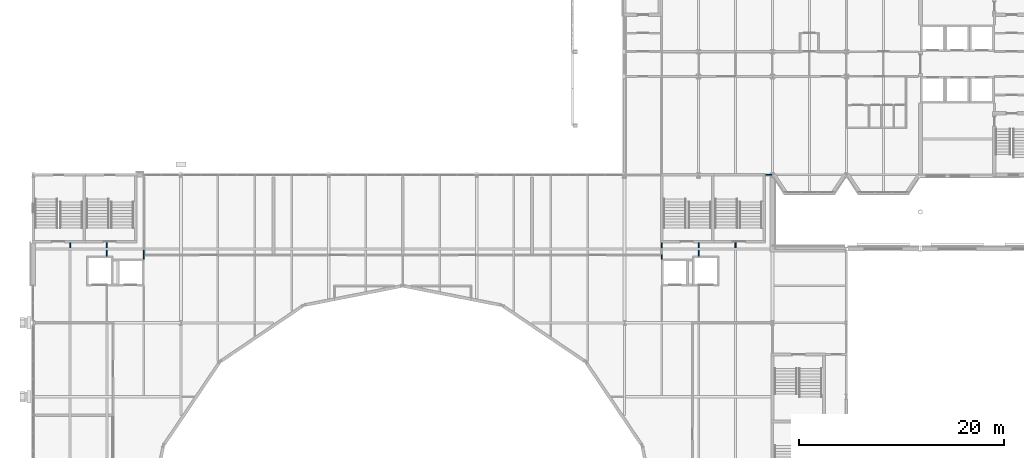
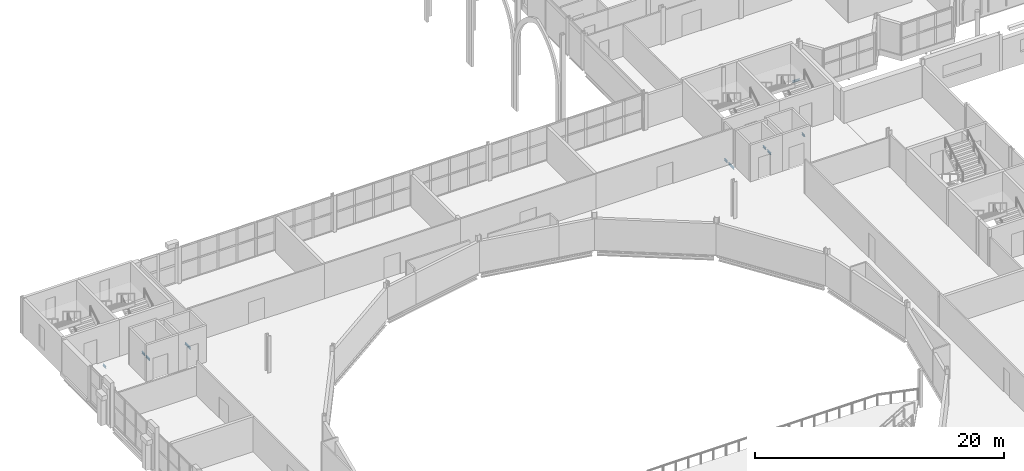
# One storey, part 55 of 124: 10 beams.
"""IFC4 building model written with IfcOpenShell, lengths in metres."""

from ifc_helpers import new_model, si_unit, direction, frame, origin, origin_2d, place, context, subcontext, project, spatial, i_section, extrude, material, material_profile, profile_set, type_object, element, save


model = new_model("IFC4")

# Units and contexts
model_context = context("Model", 3, precision=1e-05, world=origin(), true_north=direction((0.0, 1.0)))
body_context = subcontext(model_context, "Body", "Model", "MODEL_VIEW")
ifc_project = project(units=[si_unit("LENGTHUNIT", "METRE"), si_unit("AREAUNIT", "SQUARE_METRE"), si_unit("VOLUMEUNIT", "CUBIC_METRE"), si_unit("PLANEANGLEUNIT", "RADIAN"), si_unit("MASSUNIT", "GRAM", prefix="KILO")], contexts=[model_context])

# Site, building, storey
site_placement = place(None, origin())
site = spatial("IfcSite", under=ifc_project, at=site_placement, CompositionType="ELEMENT")
building_placement = place(site_placement, origin())
building = spatial("IfcBuilding", under=site, at=building_placement, Name="Kupolbacken Congress Centre", CompositionType="ELEMENT")
storey_placement = place(building_placement, frame((0.0, 0.0, 10.800048828125)))
storey = spatial("IfcBuildingStorey", under=building, at=storey_placement, Name="L03", CompositionType="ELEMENT", Elevation=10.800048828125)

# Beams
ifc_material = material(Name="Steel S355", Category="steel")
ifc_material_profile = material_profile(ifc_material, i_section(OverallWidth=0.10009765625, OverallDepth=0.199951171875, WebThickness=0.005615234375, FlangeThickness=0.008544921875, FilletRadius=0.011962890625, at=origin_2d()), Name="IPE 200")
ifc_profile_set = profile_set([ifc_material_profile], Name="Steel S355")
beam_type = type_object("IfcBeamType", Name="B01 beam IPE 200", PredefinedType="BEAM", material=ifc_profile_set)
beam_1_placement = place(storey_placement, frame((78.52490234375, 122.39990234375, -0.280029296875), z_axis=(1.0, 0.0, 0.0), x_axis=(0.0, 1.0, 0.0)))
element("IfcBeam", 1, at=beam_1_placement, inside=storey, type_object=beam_type, Name="S/floor/P/L03/R075", PredefinedType="BEAM", context=body_context, shape_type="SweptSolid", body=[
    extrude(i_section(OverallWidth=0.10009765625, OverallDepth=0.199951171875, WebThickness=0.005615234375, FlangeThickness=0.008544921875, FilletRadius=0.011962890625, at=origin_2d()), origin(), (0.0, 0.0, 1.0), 0.66455078125),
])
beam_2_placement = place(storey_placement, frame((10.800048828125, 115.31005859375, -0.280029296875), z_axis=(0.0, 1.0, 0.0), x_axis=(-1.0, 0.0, 0.0)))
element("IfcBeam", 2, at=beam_2_placement, inside=storey, type_object=beam_type, Name="S/floor/P/L03/S084", PredefinedType="BEAM", context=body_context, shape_type="SweptSolid", body=[
    extrude(i_section(OverallWidth=0.10009765625, OverallDepth=0.199951171875, WebThickness=0.005615234375, FlangeThickness=0.008544921875, FilletRadius=0.011962890625, at=origin_2d()), origin(), (0.0, 0.0, 1.0), 0.46484375),
])
beam_3_placement = place(storey_placement, frame((14.39990234375, 114.5, -0.280029296875), z_axis=(0.0, 1.0, 0.0), x_axis=(-1.0, 0.0, 0.0)))
element("IfcBeam", 3, at=beam_3_placement, inside=storey, type_object=beam_type, Name="S/floor/P/L03/S094", PredefinedType="BEAM", context=body_context, shape_type="SweptSolid", body=[
    extrude(i_section(OverallWidth=0.10009765625, OverallDepth=0.199951171875, WebThickness=0.005615234375, FlangeThickness=0.008544921875, FilletRadius=0.011962890625, at=origin_2d()), origin(), (0.0, 0.0, 1.0), 0.590087890625),
])
beam_4_placement = place(storey_placement, frame((14.39990234375, 115.31005859375, -0.280029296875), z_axis=(0.0, 1.0, 0.0), x_axis=(-1.0, 0.0, 0.0)))
element("IfcBeam", 4, at=beam_4_placement, inside=storey, type_object=beam_type, Name="S/floor/P/L03/S095", PredefinedType="BEAM", context=body_context, shape_type="SweptSolid", body=[
    extrude(i_section(OverallWidth=0.10009765625, OverallDepth=0.199951171875, WebThickness=0.005615234375, FlangeThickness=0.008544921875, FilletRadius=0.011962890625, at=origin_2d()), origin(), (0.0, 0.0, 1.0), 0.46484375),
])
beam_5_placement = place(storey_placement, frame((72.0, 114.5, -0.280029296875), z_axis=(0.0, 1.0, 0.0), x_axis=(-1.0, 0.0, 0.0)))
element("IfcBeam", 5, at=beam_5_placement, inside=storey, type_object=beam_type, Name="S/floor/P/L03/S149", PredefinedType="BEAM", context=body_context, shape_type="SweptSolid", body=[
    extrude(i_section(OverallWidth=0.10009765625, OverallDepth=0.199951171875, WebThickness=0.005615234375, FlangeThickness=0.008544921875, FilletRadius=0.011962890625, at=origin_2d()), origin(), (0.0, 0.0, 1.0), 0.590087890625),
])
for number, where, z_axis, x_axis, name in (
    (6, (72.0, 115.31005859375, -0.280029296875), (0.0, 1.0, 0.0), (-1.0, 0.0, 0.0), "S/floor/P/L03/S150"),
    (7, (75.60009765625, 115.31005859375, -0.280029296875), (0.0, 1.0, 0.0), (-1.0, 0.0, 0.0), "S/floor/P/L03/S160"),
):
    element("IfcBeam", number, at=place(storey_placement, frame(where, z_axis=z_axis, x_axis=x_axis)), inside=storey, type_object=beam_type, Name=name, PredefinedType="BEAM", context=body_context, shape_type="SweptSolid", body=[
        extrude(i_section(OverallWidth=0.10009765625, OverallDepth=0.199951171875, WebThickness=0.005615234375, FlangeThickness=0.008544921875, FilletRadius=0.011962890625, at=origin_2d()), origin(), (0.0, 0.0, 1.0), 0.46484375),
    ])
for number, where, z_axis, x_axis, name in (
    (8, (18.0, 114.199951171875, -0.280029296875), (0.0, 1.0, 0.0), (-1.0, 0.0, 0.0), "S/floor/P/L03/S171"),
    (9, (68.39990234375, 114.199951171875, -0.280029296875), (0.0, 1.0, 0.0), (-1.0, 0.0, 0.0), "S/floor/P/L03/S175"),
):
    element("IfcBeam", number, at=place(storey_placement, frame(where, z_axis=z_axis, x_axis=x_axis)), inside=storey, type_object=beam_type, Name=name, PredefinedType="BEAM", context=body_context, shape_type="SweptSolid", body=[
        extrude(i_section(OverallWidth=0.10009765625, OverallDepth=0.199951171875, WebThickness=0.005615234375, FlangeThickness=0.008544921875, FilletRadius=0.011962890625, at=origin_2d()), origin(), (0.0, 0.0, 1.0), 0.89013671875),
    ])
beam_6_placement = place(storey_placement, frame((68.39990234375, 115.31005859375, -0.280029296875), z_axis=(0.0, 1.0, 0.0), x_axis=(-1.0, 0.0, 0.0)))
element("IfcBeam", 10, at=beam_6_placement, inside=storey, type_object=beam_type, Name="S/floor/P/L03/S176", PredefinedType="BEAM", context=body_context, shape_type="SweptSolid", body=[
    extrude(i_section(OverallWidth=0.10009765625, OverallDepth=0.199951171875, WebThickness=0.005615234375, FlangeThickness=0.008544921875, FilletRadius=0.011962890625, at=origin_2d()), origin(), (0.0, 0.0, 1.0), 0.46484375),
])

save(model, "model.ifc")
